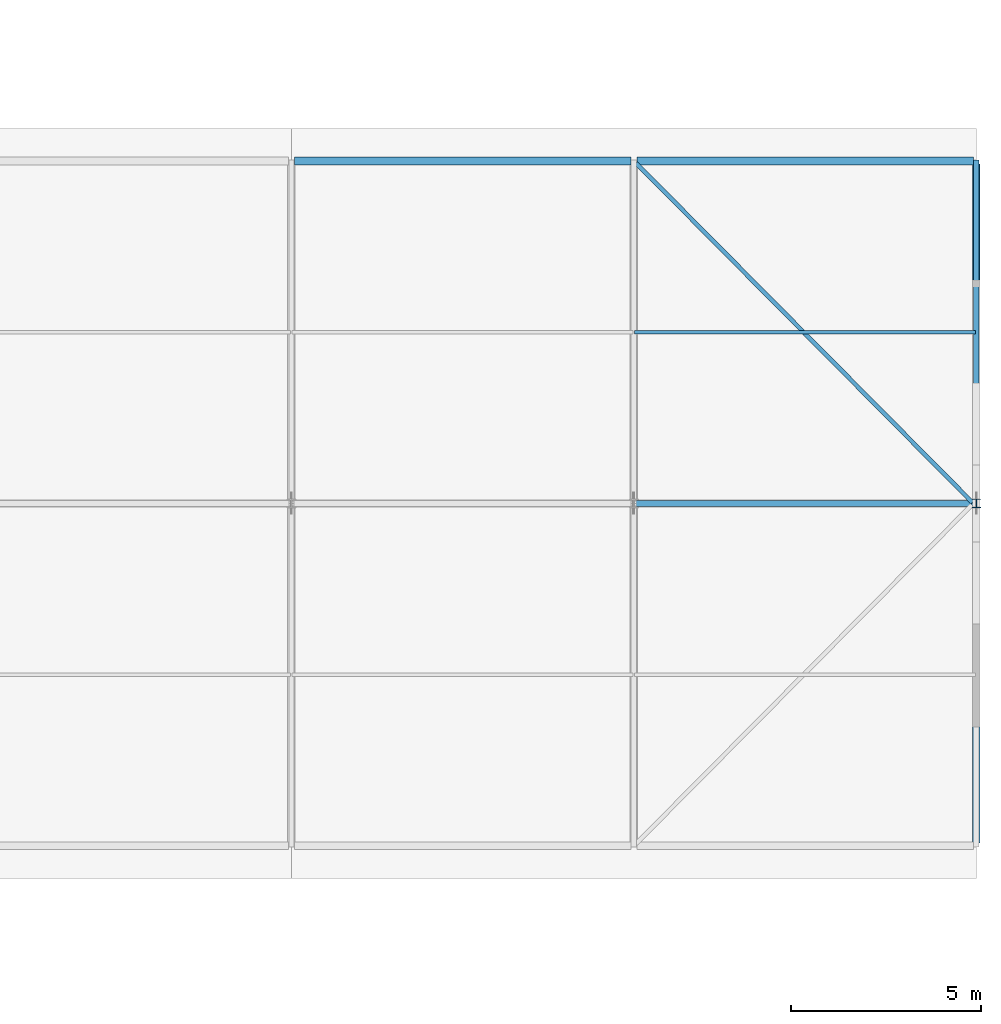
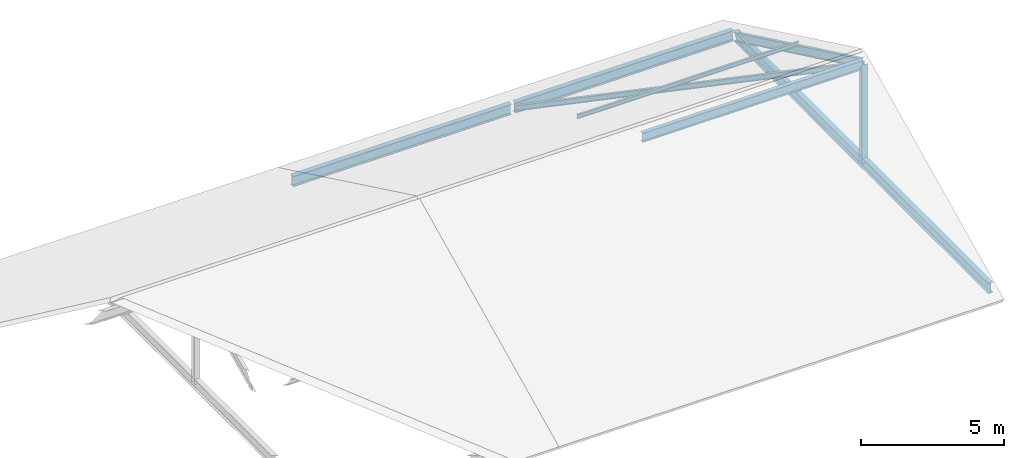
# One storey, part 14 of 25: 5 members, 3 beams.
"""IFC4 building model written with IfcOpenShell, lengths in metres."""

import ifcopenshell
import ifcopenshell.guid

model = None  # the IFC model being written
_history = None  # IfcOwnerHistory: only IFC2X3 demands one
_inside = {}  # id of a spatial element -> (the spatial element, [elements in it])
_under = {}  # id of a project, library or spatial element -> (it, [spatial elements below it])
_declared = {}  # id of a project -> (the project, [libraries it declares])
_typed = {}  # id of a type object -> (the type object, [elements of that type])
_made_of = {}  # id of a material, layer set ... -> (it, [elements and type objects made of it])


def new_model(schema):
    """Start an empty IFC model of exactly this schema.

    Asked for "IFC4X3", IfcOpenShell would pick the latest addendum, in which some entities
    have other attributes; the version numbers below select the first issue.
    IFC2X3 requires an IfcOwnerHistory on every rooted entity: one is made here for all.
    """
    global model, _history
    if schema == "IFC4X3":
        model = ifcopenshell.file(schema_version=(4, 3, 0, 0))
    else:
        model = ifcopenshell.file(schema=schema)
    _inside.clear()
    _under.clear()
    _declared.clear()
    _typed.clear()
    _made_of.clear()
    _history = None
    if model.schema == "IFC2X3":
        org = make("IfcOrganization", Name="unknown")
        user = make(
            "IfcPersonAndOrganization",
            ThePerson=make("IfcPerson", FamilyName="unknown"),
            TheOrganization=org,
        )
        app = make(
            "IfcApplication",
            ApplicationDeveloper=org,
            Version="unknown",
            ApplicationFullName="unknown",
            ApplicationIdentifier="unknown",
        )
        _history = make(
            "IfcOwnerHistory",
            OwningUser=user,
            OwningApplication=app,
            ChangeAction="ADDED",
            CreationDate=0,
        )
    return model


def make(cls, **values):
    """One entity of the class cls with the attributes given. An attribute that is None is left unset."""
    return model.create_entity(
        cls, **{name: value for name, value in values.items() if value is not None}
    )


def rooted(cls, **values):
    """An entity with a GlobalId (a new one), such as an element, a storey or a relation."""
    return make(cls, GlobalId=ifcopenshell.guid.new(), OwnerHistory=_history, **values)


def si_unit(unit_type, name, prefix=None):
    """IfcSIUnit, for example si_unit("LENGTHUNIT", "METRE", prefix="MILLI")."""
    return make("IfcSIUnit", UnitType=unit_type, Prefix=prefix, Name=name)


def assignment(units):
    """IfcUnitAssignment: the units of a project."""
    return None if units is None else make("IfcUnitAssignment", Units=units)


def point(xyz):
    """IfcCartesianPoint."""
    return None if xyz is None else make("IfcCartesianPoint", Coordinates=xyz)


def direction(xyz):
    """IfcDirection."""
    return None if xyz is None else make("IfcDirection", DirectionRatios=xyz)


def frame(location, z_axis=None, x_axis=None):
    """IfcAxis2Placement3D, a coordinate frame: its origin and axes. An axis left out is left unset."""
    return make(
        "IfcAxis2Placement3D",
        Location=point(location),
        Axis=direction(z_axis),
        RefDirection=direction(x_axis),
    )


def frame_2d(location, x_axis=None):
    """IfcAxis2Placement2D, a coordinate frame in the plane: its origin and x axis."""
    return make(
        "IfcAxis2Placement2D", Location=point(location), RefDirection=direction(x_axis)
    )


def origin():
    """The frame at (0, 0, 0) with its axes left unset."""
    return frame((0.0, 0.0, 0.0))


def origin_2d():
    """The frame at (0, 0) in the plane with its x axis left unset."""
    return frame_2d((0.0, 0.0))


def place(relative_to, where):
    """IfcLocalPlacement: puts the frame where relative to a parent placement (None: the world)."""
    return make(
        "IfcLocalPlacement", PlacementRelTo=relative_to, RelativePlacement=where
    )


def context(
    kind, dimensions, precision=None, world=None, true_north=None, identifier=None
):
    """IfcGeometricRepresentationContext, for example the 3D "Model" context."""
    return make(
        "IfcGeometricRepresentationContext",
        ContextIdentifier=identifier,
        ContextType=kind,
        CoordinateSpaceDimension=dimensions,
        Precision=precision,
        WorldCoordinateSystem=world,
        TrueNorth=true_north,
    )


def subcontext(parent, identifier, kind, view, scale=None):
    """IfcGeometricRepresentationSubContext, for example "Body" below "Model"."""
    return make(
        "IfcGeometricRepresentationSubContext",
        ContextIdentifier=identifier,
        ContextType=kind,
        ParentContext=parent,
        TargetScale=scale,
        TargetView=view,
    )


def project(units=None, contexts=None):
    """IfcProject with its units and contexts."""
    return rooted(
        "IfcProject",
        Name="project",
        RepresentationContexts=contexts,
        UnitsInContext=assignment(units),
    )


def spatial(cls, under=None, at=None, **own):
    """A site, building, storey or space (cls), placed at a placement, below another one or the project."""
    s = rooted(cls, ObjectPlacement=at, **own)
    if under is not None:
        _under.setdefault(under.id(), (under, []))[1].append(s)
    return s


def profile(cls, at=None, kind="AREA", **sizes):
    """A parametric profile (cls). Its sizes go by their IFC names, for example OverallWidth=200.0."""
    return make(cls, ProfileType=kind, Position=at, **sizes)


def i_section(**sizes):
    """IfcIShapeProfileDef."""
    return profile("IfcIShapeProfileDef", **sizes)


def extrude(swept, where, along, depth):
    """IfcExtrudedAreaSolid: the profile swept, set in the frame where, extruded along a direction by depth."""
    return make(
        "IfcExtrudedAreaSolid",
        SweptArea=swept,
        Position=where,
        ExtrudedDirection=direction(along),
        Depth=depth,
    )


def shape(context_of_items, identifier, shape_type, items):
    """IfcShapeRepresentation: the items that make up one representation, for example the "Body"."""
    return make(
        "IfcShapeRepresentation",
        ContextOfItems=context_of_items,
        RepresentationIdentifier=identifier,
        RepresentationType=shape_type,
        Items=items,
    )


def material(Name=None, Category=None):
    """IfcMaterial."""
    return make("IfcMaterial", Name=Name, Category=Category)


def material_profile(
    of_material, cross_section, Name=None, Category=None, Priority=None
):
    """IfcMaterialProfile: a cross section and its material."""
    return make(
        "IfcMaterialProfile",
        Name=Name,
        Material=of_material,
        Profile=cross_section,
        Priority=Priority,
        Category=Category,
    )


def profile_set(profiles, Name=None, composite=None):
    """IfcMaterialProfileSet."""
    return make(
        "IfcMaterialProfileSet",
        Name=Name,
        MaterialProfiles=profiles,
        CompositeProfile=composite,
    )


def made_of(thing, what):
    """Note that an element or type object is made of a material, layer set ...; save() writes the relation."""
    if what is not None:
        _made_of.setdefault(what.id(), (what, []))[1].append(thing)
    return thing


def type_object(cls, material=None, **own):
    """A type object (cls), such as IfcWallType, which elements share."""
    return made_of(rooted(cls, **own), material)


def element(
    cls,
    number,
    at=None,
    inside=None,
    cuts=None,
    type_object=None,
    material=None,
    context=None,
    identifier="Body",
    shape_type=None,
    held_by="IfcProductDefinitionShape",
    body=None,
    shapes=None,
    **own,
):
    """One element of the class cls, such as IfcWall. Its Tag is "e" and its number.

    at: its placement. inside: the storey or other place that contains it. cuts: it is an
    opening in that element (IfcRelVoidsElement). A single representation is given by context,
    identifier, shape_type and body (its items); several are given by shapes. held_by: the class
    of the entity that holds the representations. save() writes the other relations.
    """
    e = rooted(cls, Tag="e%d" % number, ObjectPlacement=at, **own)
    if body is not None:
        shapes = [shape(context, identifier, shape_type, body)]
    if shapes is not None:
        e.Representation = make(held_by, Representations=shapes)
    if inside is not None:
        _inside.setdefault(inside.id(), (inside, []))[1].append(e)
    if cuts is not None:
        rooted(
            "IfcRelVoidsElement", RelatingBuildingElement=cuts, RelatedOpeningElement=e
        )
    if type_object is not None:
        _typed.setdefault(type_object.id(), (type_object, []))[1].append(e)
    return made_of(e, material)


def aggregate(whole, parts):
    """IfcRelAggregates: a whole, such as a stair, and the parts it consists of."""
    return rooted("IfcRelAggregates", RelatingObject=whole, RelatedObjects=parts)


def save(model, path):
    """Write the relations noted so far, then the file.

    IfcRelAggregates (storeys below a building ...), IfcRelContainedInSpatialStructure (elements
    in a storey), IfcRelDefinesByType, IfcRelAssociatesMaterial and IfcRelDeclares: one each for
    every whole, place, type object, material and project.
    """
    for whole, parts in _under.values():
        aggregate(whole, parts)
    for where, things in _inside.values():
        rooted(
            "IfcRelContainedInSpatialStructure",
            RelatedElements=things,
            RelatingStructure=where,
        )
    for kind, things in _typed.values():
        rooted("IfcRelDefinesByType", RelatedObjects=things, RelatingType=kind)
    for what, things in _made_of.values():
        rooted("IfcRelAssociatesMaterial", RelatedObjects=things, RelatingMaterial=what)
    for by, libraries in _declared.values():
        rooted("IfcRelDeclares", RelatingContext=by, RelatedDefinitions=libraries)
    model.write(path)


model = new_model("IFC4")

# Units and contexts
model_context = context("Model", 3, precision=1e-05, world=origin(), true_north=direction((0.0, 1.0)))
body_context = subcontext(model_context, "Body", "Model", "MODEL_VIEW")
ifc_project = project(units=[si_unit("LENGTHUNIT", "METRE"), si_unit("AREAUNIT", "SQUARE_METRE"), si_unit("VOLUMEUNIT", "CUBIC_METRE"), si_unit("PLANEANGLEUNIT", "RADIAN"), si_unit("MASSUNIT", "GRAM", prefix="KILO")], contexts=[model_context])

# Site, building, storey
site_placement = place(None, origin())
site = spatial("IfcSite", under=ifc_project, at=site_placement, CompositionType="ELEMENT")
building_placement = place(site_placement, origin())
building = spatial("IfcBuilding", under=site, at=building_placement, Name="Tharagai Park Tramway Depot", CompositionType="ELEMENT")
storey_placement = place(building_placement, frame((0.0, 0.0, 12.0)))
storey = spatial("IfcBuildingStorey", under=building, at=storey_placement, Name="L03", CompositionType="ELEMENT", Elevation=12.0)

# Beams
ifc_material_1 = material(Name="Steel E350", Category="steel")
ifc_material_profile_1 = material_profile(ifc_material_1, i_section(OverallWidth=0.199951171875, OverallDepth=0.449951171875, WebThickness=0.00927734375, FlangeThickness=0.015380859375, FilletRadius=0.014892578125, at=origin_2d()), Name="ISWB 450")
ifc_profile_set_1 = profile_set([ifc_material_profile_1], Name="Steel E350")
beam_type = type_object("IfcBeamType", Name="BM-17", PredefinedType="BEAM", material=ifc_profile_set_1)
for number, where, z_axis, x_axis, name in (
    (1, (171.080078125, 27.0, -0.47509765625), (1.0, 0.0, 0.0), (0.0, 1.0, 0.0), "V5 Roof Eave Girder BM-17"),
    (2, (180.080078125, 27.0, -0.47509765625), (1.0, 0.0, 0.0), (0.0, 1.0, 0.0), "V5 Roof Eave Girder BM-17"),
):
    element("IfcBeam", number, at=place(storey_placement, frame(where, z_axis=z_axis, x_axis=x_axis)), inside=storey, type_object=beam_type, Name=name, PredefinedType="BEAM", context=body_context, shape_type="SweptSolid", body=[
        extrude(i_section(OverallWidth=0.199951171875, OverallDepth=0.449951171875, WebThickness=0.00927734375, FlangeThickness=0.015380859375, FilletRadius=0.014892578125, at=origin_2d()), origin(), (0.0, 0.0, 1.0), 8.83984375),
    ])
beam_placement = place(storey_placement, frame((189.0, 9.080078125, -0.47509765625), z_axis=(0.0, 1.0, 0.0), x_axis=(-1.0, 0.0, 0.0)))
element("IfcBeam", 3, at=beam_placement, inside=storey, type_object=beam_type, Name="V5 Gable Tie Girder BM-17", PredefinedType="BEAM", context=body_context, shape_type="SweptSolid", body=[
    extrude(i_section(OverallWidth=0.199951171875, OverallDepth=0.449951171875, WebThickness=0.00927734375, FlangeThickness=0.015380859375, FilletRadius=0.014892578125, at=origin_2d()), origin(), (0.0, 0.0, 1.0), 17.83984375),
])

# Members
ifc_material_profile_2 = material_profile(ifc_material_1, i_section(OverallWidth=0.22509765625, OverallDepth=0.22509765625, WebThickness=0.008544921875, FlangeThickness=0.009033203125, FilletRadius=0.010009765625, at=origin_2d()), Name="ISHB 225")
ifc_profile_set_2 = profile_set([ifc_material_profile_2], Name="Steel E350")
member_type_1 = type_object("IfcMemberType", Name="BR-02", PredefinedType="BRACE", material=ifc_profile_set_2)
member_1_placement = place(storey_placement, frame((189.0, 18.0, -0.47509765625), z_axis=(0.0, 0.0, 1.0), x_axis=(1.0, 0.0, 0.0)))
element("IfcMember", 4, at=member_1_placement, inside=storey, type_object=member_type_1, Name="V5 Gable King Strut BR-02", PredefinedType="BRACE", context=body_context, shape_type="SweptSolid", body=[
    extrude(i_section(OverallWidth=0.22509765625, OverallDepth=0.22509765625, WebThickness=0.008544921875, FlangeThickness=0.009033203125, FilletRadius=0.010009765625, at=origin_2d()), origin(), (0.0, 0.0, 1.0), 4.20947265625),
])
ifc_material_profile_3 = material_profile(ifc_material_1, i_section(OverallWidth=0.110107421875, OverallDepth=0.22509765625, WebThickness=0.006591796875, FlangeThickness=0.01171875, FilletRadius=0.011962890625, at=origin_2d()), Name="ISMB 225")
ifc_profile_set_3 = profile_set([ifc_material_profile_3], Name="Steel E350")
member_type_2 = type_object("IfcMemberType", Name="BR-04", PredefinedType="BRACE", material=ifc_profile_set_3)
member_2_placement = place(storey_placement, frame((180.080078125, 26.919921875, -0.47509765625), z_axis=(0.667812653519, -0.67386221578, 0.316126515724), x_axis=(0.710287879152, 0.703911307432, 0.0)))
element("IfcMember", 5, at=member_2_placement, inside=storey, type_object=member_type_2, Name="V5 Roof Wind Brace BR-04", PredefinedType="BRACE", context=body_context, shape_type="SweptSolid", body=[
    extrude(i_section(OverallWidth=0.110107421875, OverallDepth=0.22509765625, WebThickness=0.006591796875, FlangeThickness=0.01171875, FilletRadius=0.011962890625, at=origin_2d()), origin(), (0.0, 0.0, 1.0), 13.237060546875),
])
ifc_material_2 = material(Name="Steel E250", Category="steel")
ifc_material_profile_4 = material_profile(ifc_material_2, i_section(OverallWidth=0.090087890625, OverallDepth=0.175048828125, WebThickness=0.005615234375, FlangeThickness=0.009033203125, FilletRadius=0.010009765625, at=origin_2d()), Name="ISMB 175")
ifc_profile_set_4 = profile_set([ifc_material_profile_4], Name="Steel E250")
member_type_3 = type_object("IfcMemberType", Name="PR-01", PredefinedType="PURLIN", material=ifc_profile_set_4)
member_3_placement = place(storey_placement, frame((180.02001953125, 22.5, 1.85546875), z_axis=(1.0, 0.0, 0.0), x_axis=(0.0, 1.0, 0.0)))
element("IfcMember", 6, at=member_3_placement, inside=storey, type_object=member_type_3, Name="V5 Roof Purlin PR-01", PredefinedType="PURLIN", context=body_context, shape_type="SweptSolid", body=[
    extrude(i_section(OverallWidth=0.090087890625, OverallDepth=0.175048828125, WebThickness=0.005615234375, FlangeThickness=0.009033203125, FilletRadius=0.010009765625, at=origin_2d()), origin(), (0.0, 0.0, 1.0), 8.9599609375),
])
ifc_material_profile_5 = material_profile(ifc_material_1, i_section(OverallWidth=0.139892578125, OverallDepth=0.35009765625, WebThickness=0.008056640625, FlangeThickness=0.01416015625, FilletRadius=0.013916015625, at=origin_2d()), Name="ISMB 350")
ifc_profile_set_5 = profile_set([ifc_material_profile_5], Name="Steel E350")
member_type_4 = type_object("IfcMemberType", Name="RF-01", PredefinedType="RAFTER", material=ifc_profile_set_5)
member_4_placement = place(storey_placement, frame((189.0, 18.0, 3.734375), z_axis=(0.0, 0.901650825815, -0.432464782736), x_axis=(-1.0, 0.0, 0.0)))
element("IfcMember", 7, at=member_4_placement, inside=storey, type_object=member_type_4, Name="V5 Pitched Rafter RF-01 North", PredefinedType="RAFTER", context=body_context, shape_type="SweptSolid", body=[
    extrude(i_section(OverallWidth=0.139892578125, OverallDepth=0.35009765625, WebThickness=0.008056640625, FlangeThickness=0.01416015625, FilletRadius=0.013916015625, at=origin_2d()), origin(), (0.0, 0.0, 1.0), 9.92626953125),
])
ifc_material_profile_6 = material_profile(ifc_material_1, i_section(OverallWidth=0.1650390625, OverallDepth=0.39990234375, WebThickness=0.008056640625, FlangeThickness=0.012451171875, FilletRadius=0.013916015625, at=origin_2d()), Name="ISLB 400")
ifc_profile_set_6 = profile_set([ifc_material_profile_6], Name="Steel E350")
member_type_5 = type_object("IfcMemberType", Name="TC-04", PredefinedType="CHORD", material=ifc_profile_set_6)
member_5_placement = place(storey_placement, frame((180.0400390625, 18.0, 3.70947265625), z_axis=(1.0, 0.0, 0.0), x_axis=(0.0, 1.0, 0.0)))
element("IfcMember", 8, at=member_5_placement, inside=storey, type_object=member_type_5, Name="V5 Roof Ridge Chord TC-04", PredefinedType="CHORD", context=body_context, shape_type="SweptSolid", body=[
    extrude(i_section(OverallWidth=0.1650390625, OverallDepth=0.39990234375, WebThickness=0.008056640625, FlangeThickness=0.012451171875, FilletRadius=0.013916015625, at=origin_2d()), origin(), (0.0, 0.0, 1.0), 8.919921875),
])

save(model, "model.ifc")
